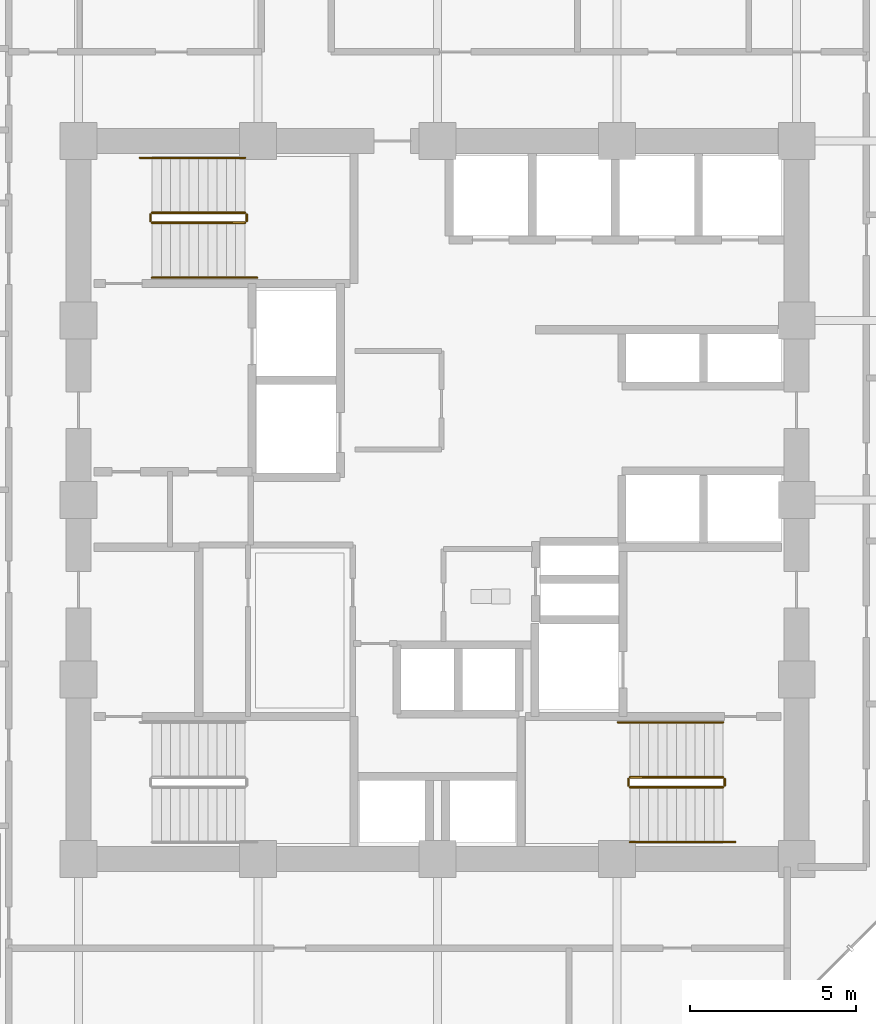
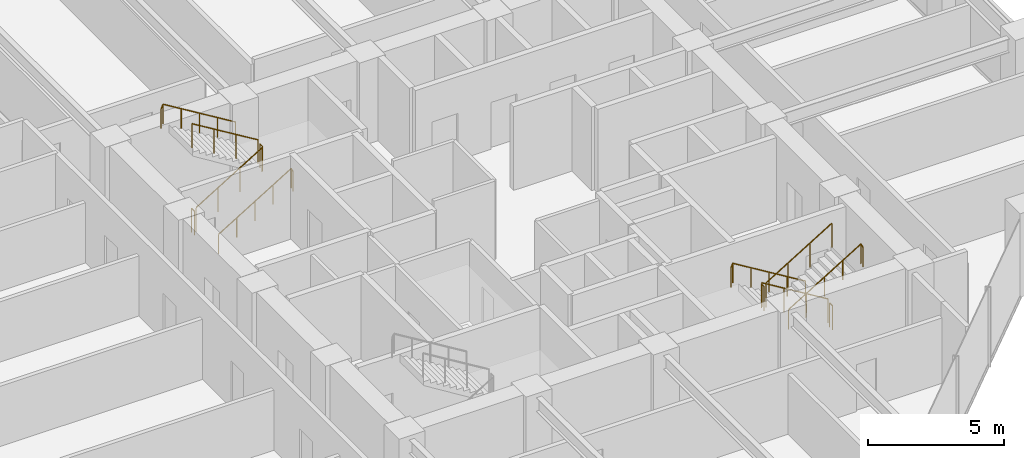
# One storey, part 23 of 24: 12 railings.
"""IFC4 building model written with IfcOpenShell, lengths in metres."""

from ifc_helpers import new_model, si_unit, direction, frame, origin, origin_2d, place, context, subcontext, project, spatial, circle, extrude, material, type_object, element, save


model = new_model("IFC4")

# Units and contexts
model_context = context("Model", 3, precision=1e-05, world=origin(), true_north=direction((0.0, 1.0)))
body_context = subcontext(model_context, "Body", "Model", "MODEL_VIEW")
ifc_project = project(units=[si_unit("LENGTHUNIT", "METRE"), si_unit("AREAUNIT", "SQUARE_METRE"), si_unit("VOLUMEUNIT", "CUBIC_METRE"), si_unit("PLANEANGLEUNIT", "RADIAN"), si_unit("MASSUNIT", "GRAM", prefix="KILO")], contexts=[model_context])

# Site, building, storey
site_placement = place(None, origin())
site = spatial("IfcSite", under=ifc_project, at=site_placement, CompositionType="ELEMENT")
building_placement = place(site_placement, origin())
building = spatial("IfcBuilding", under=site, at=building_placement, Name="Surkhivell Harbour Commons", CompositionType="ELEMENT")
storey_placement = place(building_placement, frame((0.0, 0.0, 105.75)))
storey = spatial("IfcBuildingStorey", under=building, at=storey_placement, Name="L27", CompositionType="ELEMENT", Elevation=105.75)

# Railings
ifc_material_1 = material(Name="Galvanised and painted steel S355 guard rail", Category="steel")
railing_type_1 = type_object("IfcRailingType", Name="RAL-ST-GRD1100", PredefinedType="GUARDRAIL", material=ifc_material_1)
railing_1_placement = place(storey_placement, frame((-8.590087890625, 8.340087890625, 0.17041015625)))
element("IfcRailing", 1, at=railing_1_placement, inside=storey, type_object=railing_type_1, Name="L27 ST1 stair guard 1", PredefinedType="GUARDRAIL", context=body_context, shape_type="SweptSolid", body=[
    extrude(circle(Radius=0.02392578125, at=origin_2d()), frame((0.0, 0.0, 1.076171875), z_axis=(0.854169791009, 0.0, 0.51999420009), x_axis=(0.0, 1.0, 0.0)), (0.0, 0.0, 1.0), 3.278076171875),
    extrude(circle(Radius=0.02099609375, at=origin_2d()), origin(), (0.0, 0.0, 1.0), 1.052001953125),
    extrude(circle(Radius=0.02099609375, at=origin_2d()), frame((0.933349609375, 0.0, 0.568115234375)), (0.0, 0.0, 1.0), 1.052001953125),
    extrude(circle(Radius=0.02099609375, at=origin_2d()), frame((1.86669921875, 0.0, 1.136474609375)), (0.0, 0.0, 1.0), 1.052001953125),
    extrude(circle(Radius=0.02099609375, at=origin_2d()), frame((2.800048828125, 0.0, 1.70458984375)), (0.0, 0.0, 1.0), 1.052001953125),
])
railing_2_placement = place(storey_placement, frame((-5.739990234375, 8.389892578125, 1.875)))
element("IfcRailing", 2, at=railing_2_placement, inside=storey, type_object=railing_type_1, Name="L27 ST1 stair guard 2", PredefinedType="GUARDRAIL", context=body_context, shape_type="SweptSolid", body=[
    extrude(circle(Radius=0.02392578125, at=origin_2d()), frame((0.0, 0.0, 1.076171875), z_axis=(0.0, 1.0, 0.0), x_axis=(-1.0, 0.0, 0.0)), (0.0, 0.0, 1.0), 0.2001953125),
    extrude(circle(Radius=0.02099609375, at=origin_2d()), origin(), (0.0, 0.0, 1.0), 1.052001953125),
    extrude(circle(Radius=0.02099609375, at=origin_2d()), frame((0.0, 0.2001953125, 0.0)), (0.0, 0.0, 1.0), 1.052001953125),
])
railing_3_placement = place(storey_placement, frame((-5.7900390625, 8.639892578125, 2.04541015625)))
element("IfcRailing", 3, at=railing_3_placement, inside=storey, type_object=railing_type_1, Name="L27 ST1 stair guard 3", PredefinedType="GUARDRAIL", context=body_context, shape_type="SweptSolid", body=[
    extrude(circle(Radius=0.02392578125, at=origin_2d()), frame((0.0, 0.0, 1.076171875), z_axis=(-0.854169791009, 0.0, 0.51999420009), x_axis=(0.0, -1.0, 0.0)), (0.0, 0.0, 1.0), 3.278076171875),
    extrude(circle(Radius=0.02099609375, at=origin_2d()), origin(), (0.0, 0.0, 1.0), 1.052001953125),
    extrude(circle(Radius=0.02099609375, at=origin_2d()), frame((-0.933349609375, 0.0, 0.568115234375)), (0.0, 0.0, 1.0), 1.052001953125),
    extrude(circle(Radius=0.02099609375, at=origin_2d()), frame((-1.86669921875, 0.0, 1.136474609375)), (0.0, 0.0, 1.0), 1.052001953125),
    extrude(circle(Radius=0.02099609375, at=origin_2d()), frame((-2.800048828125, 0.0, 1.70458984375)), (0.0, 0.0, 1.0), 1.052001953125),
])
railing_4_placement = place(storey_placement, frame((-8.639892578125, 8.389892578125, 0.0)))
element("IfcRailing", 4, at=railing_4_placement, inside=storey, type_object=railing_type_1, Name="L27 ST1 stair guard 4", PredefinedType="GUARDRAIL", context=body_context, shape_type="SweptSolid", body=[
    extrude(circle(Radius=0.02392578125, at=origin_2d()), frame((0.0, 0.0, 1.076171875), z_axis=(0.0, 1.0, 0.0), x_axis=(-1.0, 0.0, 0.0)), (0.0, 0.0, 1.0), 0.2001953125),
    extrude(circle(Radius=0.02099609375, at=origin_2d()), origin(), (0.0, 0.0, 1.0), 1.052001953125),
    extrude(circle(Radius=0.02099609375, at=origin_2d()), frame((0.0, 0.2001953125, 0.0)), (0.0, 0.0, 1.0), 1.052001953125),
])
railing_5_placement = place(storey_placement, frame((8.590087890625, -8.340087890625, 0.17041015625)))
element("IfcRailing", 5, at=railing_5_placement, inside=storey, type_object=railing_type_1, Name="L27 ST2 stair guard 1", PredefinedType="GUARDRAIL", context=body_context, shape_type="SweptSolid", body=[
    extrude(circle(Radius=0.02392578125, at=origin_2d()), frame((0.0, 0.0, 1.076171875), z_axis=(-0.854169791009, 0.0, 0.51999420009), x_axis=(0.0, -1.0, 0.0)), (0.0, 0.0, 1.0), 3.278076171875),
    extrude(circle(Radius=0.02099609375, at=origin_2d()), origin(), (0.0, 0.0, 1.0), 1.052001953125),
    extrude(circle(Radius=0.02099609375, at=origin_2d()), frame((-0.933349609375, 0.0, 0.568115234375)), (0.0, 0.0, 1.0), 1.052001953125),
    extrude(circle(Radius=0.02099609375, at=origin_2d()), frame((-1.86669921875, 0.0, 1.136474609375)), (0.0, 0.0, 1.0), 1.052001953125),
    extrude(circle(Radius=0.02099609375, at=origin_2d()), frame((-2.800048828125, 0.0, 1.70458984375)), (0.0, 0.0, 1.0), 1.052001953125),
])
railing_6_placement = place(storey_placement, frame((5.739990234375, -8.389892578125, 1.875)))
element("IfcRailing", 6, at=railing_6_placement, inside=storey, type_object=railing_type_1, Name="L27 ST2 stair guard 2", PredefinedType="GUARDRAIL", context=body_context, shape_type="SweptSolid", body=[
    extrude(circle(Radius=0.02392578125, at=origin_2d()), frame((0.0, 0.0, 1.076171875), z_axis=(0.0, -1.0, 0.0), x_axis=(1.0, 0.0, 0.0)), (0.0, 0.0, 1.0), 0.2001953125),
    extrude(circle(Radius=0.02099609375, at=origin_2d()), origin(), (0.0, 0.0, 1.0), 1.052001953125),
    extrude(circle(Radius=0.02099609375, at=origin_2d()), frame((0.0, -0.2001953125, 0.0)), (0.0, 0.0, 1.0), 1.052001953125),
])
railing_7_placement = place(storey_placement, frame((5.7900390625, -8.639892578125, 2.04541015625)))
element("IfcRailing", 7, at=railing_7_placement, inside=storey, type_object=railing_type_1, Name="L27 ST2 stair guard 3", PredefinedType="GUARDRAIL", context=body_context, shape_type="SweptSolid", body=[
    extrude(circle(Radius=0.02392578125, at=origin_2d()), frame((0.0, 0.0, 1.076171875), z_axis=(0.854169791009, 0.0, 0.51999420009), x_axis=(0.0, 1.0, 0.0)), (0.0, 0.0, 1.0), 3.278076171875),
    extrude(circle(Radius=0.02099609375, at=origin_2d()), origin(), (0.0, 0.0, 1.0), 1.052001953125),
    extrude(circle(Radius=0.02099609375, at=origin_2d()), frame((0.933349609375, 0.0, 0.568115234375)), (0.0, 0.0, 1.0), 1.052001953125),
    extrude(circle(Radius=0.02099609375, at=origin_2d()), frame((1.86669921875, 0.0, 1.136474609375)), (0.0, 0.0, 1.0), 1.052001953125),
    extrude(circle(Radius=0.02099609375, at=origin_2d()), frame((2.800048828125, 0.0, 1.70458984375)), (0.0, 0.0, 1.0), 1.052001953125),
])
railing_8_placement = place(storey_placement, frame((8.639892578125, -8.389892578125, 0.0)))
element("IfcRailing", 8, at=railing_8_placement, inside=storey, type_object=railing_type_1, Name="L27 ST2 stair guard 4", PredefinedType="GUARDRAIL", context=body_context, shape_type="SweptSolid", body=[
    extrude(circle(Radius=0.02392578125, at=origin_2d()), frame((0.0, 0.0, 1.076171875), z_axis=(0.0, -1.0, 0.0), x_axis=(1.0, 0.0, 0.0)), (0.0, 0.0, 1.0), 0.2001953125),
    extrude(circle(Radius=0.02099609375, at=origin_2d()), origin(), (0.0, 0.0, 1.0), 1.052001953125),
    extrude(circle(Radius=0.02099609375, at=origin_2d()), frame((0.0, -0.2001953125, 0.0)), (0.0, 0.0, 1.0), 1.052001953125),
])
ifc_material_2 = material(Name="Brushed stainless steel S355 handrail", Category="steel")
railing_type_2 = type_object("IfcRailingType", Name="RAL-ST-HND900", PredefinedType="HANDRAIL", material=ifc_material_2)
railing_9_placement = place(storey_placement, frame((-8.590087890625, 6.68994140625, 0.17041015625)))
element("IfcRailing", 9, at=railing_9_placement, inside=storey, type_object=railing_type_2, Name="L27 ST1 stair handrail 1", PredefinedType="HANDRAIL", context=body_context, shape_type="SweptSolid", body=[
    extrude(circle(Radius=0.02392578125, at=origin_2d()), frame((0.0, 0.0, 0.8759765625), z_axis=(0.854177636135, 0.0, 0.519981313056), x_axis=(0.0, 1.0, 0.0)), (0.0, 0.0, 1.0), 3.60595703125),
    extrude(circle(Radius=0.02392578125, at=origin_2d()), frame((3.080078125, 0.0, 2.7509765625), z_axis=(0.425297416671, 0.0, -0.905053648892), x_axis=(0.0, 1.0, 0.0)), (0.0, 0.0, 1.0), 0.188232421875),
    extrude(circle(Radius=0.02099609375, at=origin_2d()), origin(), (0.0, 0.0, 1.0), 0.851806640625),
    extrude(circle(Radius=0.02099609375, at=origin_2d()), frame((0.77001953125, 0.0, 0.46875)), (0.0, 0.0, 1.0), 0.851806640625),
    extrude(circle(Radius=0.02099609375, at=origin_2d()), frame((1.5400390625, 0.0, 0.9375)), (0.0, 0.0, 1.0), 0.851806640625),
    extrude(circle(Radius=0.02099609375, at=origin_2d()), frame((2.31005859375, 0.0, 1.40625)), (0.0, 0.0, 1.0), 0.851806640625),
    extrude(circle(Radius=0.02099609375, at=origin_2d()), frame((3.080078125, 0.0, 1.875)), (0.0, 0.0, 1.0), 0.851806640625),
    extrude(circle(Radius=0.02099609375, at=origin_2d()), frame((3.16015625, 0.0, 1.70458984375)), (0.0, 0.0, 1.0), 0.851806640625),
])
railing_10_placement = place(storey_placement, frame((-5.7900390625, 10.2900390625, 2.04541015625)))
element("IfcRailing", 10, at=railing_10_placement, inside=storey, type_object=railing_type_2, Name="L27 ST1 stair handrail 2", PredefinedType="HANDRAIL", context=body_context, shape_type="SweptSolid", body=[
    extrude(circle(Radius=0.02392578125, at=origin_2d()), frame((0.0, 0.0, 0.8759765625), z_axis=(-0.854177636135, 0.0, 0.519981313056), x_axis=(0.0, -1.0, 0.0)), (0.0, 0.0, 1.0), 3.60595703125),
    extrude(circle(Radius=0.02392578125, at=origin_2d()), frame((-3.080078125, 0.0, 2.7509765625), z_axis=(-0.424234432967, 0.0, -0.905552398199), x_axis=(0.0, -1.0, 0.0)), (0.0, 0.0, 1.0), 0.188232421875),
    extrude(circle(Radius=0.02099609375, at=origin_2d()), origin(), (0.0, 0.0, 1.0), 0.851806640625),
    extrude(circle(Radius=0.02099609375, at=origin_2d()), frame((-0.77001953125, 0.0, 0.46875)), (0.0, 0.0, 1.0), 0.851806640625),
    extrude(circle(Radius=0.02099609375, at=origin_2d()), frame((-1.5400390625, 0.0, 0.9375)), (0.0, 0.0, 1.0), 0.851806640625),
    extrude(circle(Radius=0.02099609375, at=origin_2d()), frame((-2.31005859375, 0.0, 1.40625)), (0.0, 0.0, 1.0), 0.851806640625),
    extrude(circle(Radius=0.02099609375, at=origin_2d()), frame((-3.080078125, 0.0, 1.875)), (0.0, 0.0, 1.0), 0.851806640625),
    extrude(circle(Radius=0.02099609375, at=origin_2d()), frame((-3.159912109375, 0.0, 1.70458984375)), (0.0, 0.0, 1.0), 0.851806640625),
])
railing_11_placement = place(storey_placement, frame((8.590087890625, -6.68994140625, 0.17041015625)))
element("IfcRailing", 11, at=railing_11_placement, inside=storey, type_object=railing_type_2, Name="L27 ST2 stair handrail 1", PredefinedType="HANDRAIL", context=body_context, shape_type="SweptSolid", body=[
    extrude(circle(Radius=0.02392578125, at=origin_2d()), frame((0.0, 0.0, 0.8759765625), z_axis=(-0.854177636135, 0.0, 0.519981313056), x_axis=(0.0, -1.0, 0.0)), (0.0, 0.0, 1.0), 3.60595703125),
    extrude(circle(Radius=0.02392578125, at=origin_2d()), frame((-3.080078125, 0.0, 2.7509765625), z_axis=(-0.425297416671, 0.0, -0.905053648892), x_axis=(0.0, -1.0, 0.0)), (0.0, 0.0, 1.0), 0.188232421875),
    extrude(circle(Radius=0.02099609375, at=origin_2d()), origin(), (0.0, 0.0, 1.0), 0.851806640625),
    extrude(circle(Radius=0.02099609375, at=origin_2d()), frame((-0.77001953125, 0.0, 0.46875)), (0.0, 0.0, 1.0), 0.851806640625),
    extrude(circle(Radius=0.02099609375, at=origin_2d()), frame((-1.5400390625, 0.0, 0.9375)), (0.0, 0.0, 1.0), 0.851806640625),
    extrude(circle(Radius=0.02099609375, at=origin_2d()), frame((-2.31005859375, 0.0, 1.40625)), (0.0, 0.0, 1.0), 0.851806640625),
    extrude(circle(Radius=0.02099609375, at=origin_2d()), frame((-3.080078125, 0.0, 1.875)), (0.0, 0.0, 1.0), 0.851806640625),
    extrude(circle(Radius=0.02099609375, at=origin_2d()), frame((-3.16015625, 0.0, 1.70458984375)), (0.0, 0.0, 1.0), 0.851806640625),
])
railing_12_placement = place(storey_placement, frame((5.7900390625, -10.2900390625, 2.04541015625)))
element("IfcRailing", 12, at=railing_12_placement, inside=storey, type_object=railing_type_2, Name="L27 ST2 stair handrail 2", PredefinedType="HANDRAIL", context=body_context, shape_type="SweptSolid", body=[
    extrude(circle(Radius=0.02392578125, at=origin_2d()), frame((0.0, 0.0, 0.8759765625), z_axis=(0.854177636135, 0.0, 0.519981313056), x_axis=(0.0, 1.0, 0.0)), (0.0, 0.0, 1.0), 3.60595703125),
    extrude(circle(Radius=0.02392578125, at=origin_2d()), frame((3.080078125, 0.0, 2.7509765625), z_axis=(0.424234432967, 0.0, -0.905552398199), x_axis=(0.0, 1.0, 0.0)), (0.0, 0.0, 1.0), 0.188232421875),
    extrude(circle(Radius=0.02099609375, at=origin_2d()), origin(), (0.0, 0.0, 1.0), 0.851806640625),
    extrude(circle(Radius=0.02099609375, at=origin_2d()), frame((0.77001953125, 0.0, 0.46875)), (0.0, 0.0, 1.0), 0.851806640625),
    extrude(circle(Radius=0.02099609375, at=origin_2d()), frame((1.5400390625, 0.0, 0.9375)), (0.0, 0.0, 1.0), 0.851806640625),
    extrude(circle(Radius=0.02099609375, at=origin_2d()), frame((2.31005859375, 0.0, 1.40625)), (0.0, 0.0, 1.0), 0.851806640625),
    extrude(circle(Radius=0.02099609375, at=origin_2d()), frame((3.080078125, 0.0, 1.875)), (0.0, 0.0, 1.0), 0.851806640625),
    extrude(circle(Radius=0.02099609375, at=origin_2d()), frame((3.159912109375, 0.0, 1.70458984375)), (0.0, 0.0, 1.0), 0.851806640625),
])

save(model, "model.ifc")
